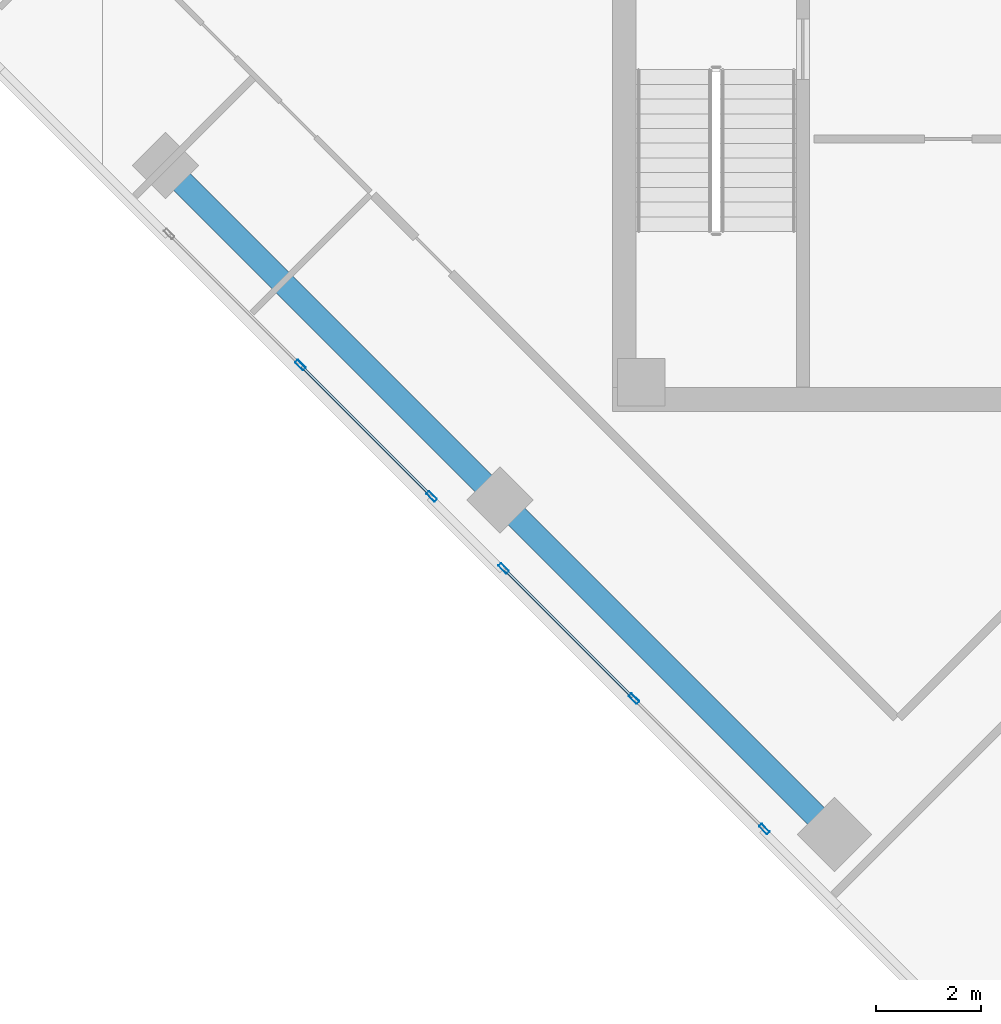
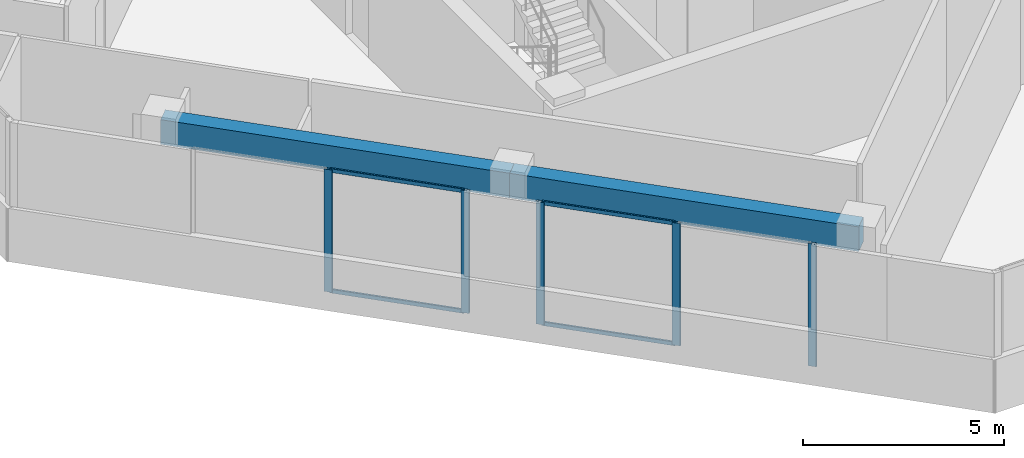
# One storey, part 2 of 18: 9 members, 2 beams, 2 elements without a shape of their own.
"""IFC4 building model written with IfcOpenShell, lengths in metres."""

import ifcopenshell
import ifcopenshell.guid

model = None  # the IFC model being written
_history = None  # IfcOwnerHistory: only IFC2X3 demands one
_inside = {}  # id of a spatial element -> (the spatial element, [elements in it])
_under = {}  # id of a project, library or spatial element -> (it, [spatial elements below it])
_declared = {}  # id of a project -> (the project, [libraries it declares])
_typed = {}  # id of a type object -> (the type object, [elements of that type])
_made_of = {}  # id of a material, layer set ... -> (it, [elements and type objects made of it])


def new_model(schema):
    """Start an empty IFC model of exactly this schema.

    Asked for "IFC4X3", IfcOpenShell would pick the latest addendum, in which some entities
    have other attributes; the version numbers below select the first issue.
    IFC2X3 requires an IfcOwnerHistory on every rooted entity: one is made here for all.
    """
    global model, _history
    if schema == "IFC4X3":
        model = ifcopenshell.file(schema_version=(4, 3, 0, 0))
    else:
        model = ifcopenshell.file(schema=schema)
    _inside.clear()
    _under.clear()
    _declared.clear()
    _typed.clear()
    _made_of.clear()
    _history = None
    if model.schema == "IFC2X3":
        org = make("IfcOrganization", Name="unknown")
        user = make(
            "IfcPersonAndOrganization",
            ThePerson=make("IfcPerson", FamilyName="unknown"),
            TheOrganization=org,
        )
        app = make(
            "IfcApplication",
            ApplicationDeveloper=org,
            Version="unknown",
            ApplicationFullName="unknown",
            ApplicationIdentifier="unknown",
        )
        _history = make(
            "IfcOwnerHistory",
            OwningUser=user,
            OwningApplication=app,
            ChangeAction="ADDED",
            CreationDate=0,
        )
    return model


def make(cls, **values):
    """One entity of the class cls with the attributes given. An attribute that is None is left unset."""
    return model.create_entity(
        cls, **{name: value for name, value in values.items() if value is not None}
    )


def rooted(cls, **values):
    """An entity with a GlobalId (a new one), such as an element, a storey or a relation."""
    return make(cls, GlobalId=ifcopenshell.guid.new(), OwnerHistory=_history, **values)


def si_unit(unit_type, name, prefix=None):
    """IfcSIUnit, for example si_unit("LENGTHUNIT", "METRE", prefix="MILLI")."""
    return make("IfcSIUnit", UnitType=unit_type, Prefix=prefix, Name=name)


def assignment(units):
    """IfcUnitAssignment: the units of a project."""
    return None if units is None else make("IfcUnitAssignment", Units=units)


def point(xyz):
    """IfcCartesianPoint."""
    return None if xyz is None else make("IfcCartesianPoint", Coordinates=xyz)


def direction(xyz):
    """IfcDirection."""
    return None if xyz is None else make("IfcDirection", DirectionRatios=xyz)


def frame(location, z_axis=None, x_axis=None):
    """IfcAxis2Placement3D, a coordinate frame: its origin and axes. An axis left out is left unset."""
    return make(
        "IfcAxis2Placement3D",
        Location=point(location),
        Axis=direction(z_axis),
        RefDirection=direction(x_axis),
    )


def frame_2d(location, x_axis=None):
    """IfcAxis2Placement2D, a coordinate frame in the plane: its origin and x axis."""
    return make(
        "IfcAxis2Placement2D", Location=point(location), RefDirection=direction(x_axis)
    )


def origin():
    """The frame at (0, 0, 0) with its axes left unset."""
    return frame((0.0, 0.0, 0.0))


def origin_2d():
    """The frame at (0, 0) in the plane with its x axis left unset."""
    return frame_2d((0.0, 0.0))


def place(relative_to, where):
    """IfcLocalPlacement: puts the frame where relative to a parent placement (None: the world)."""
    return make(
        "IfcLocalPlacement", PlacementRelTo=relative_to, RelativePlacement=where
    )


def context(
    kind, dimensions, precision=None, world=None, true_north=None, identifier=None
):
    """IfcGeometricRepresentationContext, for example the 3D "Model" context."""
    return make(
        "IfcGeometricRepresentationContext",
        ContextIdentifier=identifier,
        ContextType=kind,
        CoordinateSpaceDimension=dimensions,
        Precision=precision,
        WorldCoordinateSystem=world,
        TrueNorth=true_north,
    )


def subcontext(parent, identifier, kind, view, scale=None):
    """IfcGeometricRepresentationSubContext, for example "Body" below "Model"."""
    return make(
        "IfcGeometricRepresentationSubContext",
        ContextIdentifier=identifier,
        ContextType=kind,
        ParentContext=parent,
        TargetScale=scale,
        TargetView=view,
    )


def project(units=None, contexts=None):
    """IfcProject with its units and contexts."""
    return rooted(
        "IfcProject",
        Name="project",
        RepresentationContexts=contexts,
        UnitsInContext=assignment(units),
    )


def spatial(cls, under=None, at=None, **own):
    """A site, building, storey or space (cls), placed at a placement, below another one or the project."""
    s = rooted(cls, ObjectPlacement=at, **own)
    if under is not None:
        _under.setdefault(under.id(), (under, []))[1].append(s)
    return s


def profile(cls, at=None, kind="AREA", **sizes):
    """A parametric profile (cls). Its sizes go by their IFC names, for example OverallWidth=200.0."""
    return make(cls, ProfileType=kind, Position=at, **sizes)


def rectangle(**sizes):
    """IfcRectangleProfileDef."""
    return profile("IfcRectangleProfileDef", **sizes)


def hollow_rectangle(**sizes):
    """IfcRectangleHollowProfileDef."""
    return profile("IfcRectangleHollowProfileDef", **sizes)


def extrude(swept, where, along, depth):
    """IfcExtrudedAreaSolid: the profile swept, set in the frame where, extruded along a direction by depth."""
    return make(
        "IfcExtrudedAreaSolid",
        SweptArea=swept,
        Position=where,
        ExtrudedDirection=direction(along),
        Depth=depth,
    )


def shape(context_of_items, identifier, shape_type, items):
    """IfcShapeRepresentation: the items that make up one representation, for example the "Body"."""
    return make(
        "IfcShapeRepresentation",
        ContextOfItems=context_of_items,
        RepresentationIdentifier=identifier,
        RepresentationType=shape_type,
        Items=items,
    )


def source(mapping_origin, context_of_items, identifier, shape_type, items):
    """IfcRepresentationMap: a shape defined once, which mapped items show again and again."""
    return make(
        "IfcRepresentationMap",
        MappingOrigin=mapping_origin,
        MappedRepresentation=shape(context_of_items, identifier, shape_type, items),
    )


def transform(
    local_origin,
    x_axis=None,
    y_axis=None,
    z_axis=None,
    scale=None,
    scale2=None,
    scale3=None,
    uniform=True,
):
    """IfcCartesianTransformationOperator3D, or its non-uniform kind. x_axis, y_axis, z_axis: its Axis1, 2, 3."""
    if uniform:
        return make(
            "IfcCartesianTransformationOperator3D",
            Axis1=direction(x_axis),
            Axis2=direction(y_axis),
            LocalOrigin=point(local_origin),
            Scale=scale,
            Axis3=direction(z_axis),
        )
    return make(
        "IfcCartesianTransformationOperator3DnonUniform",
        Axis1=direction(x_axis),
        Axis2=direction(y_axis),
        LocalOrigin=point(local_origin),
        Scale=scale,
        Axis3=direction(z_axis),
        Scale2=scale2,
        Scale3=scale3,
    )


def mapped(mapping_source, mapping_target):
    """IfcMappedItem: shows the shape of a source again, moved by a transform."""
    return make(
        "IfcMappedItem", MappingSource=mapping_source, MappingTarget=mapping_target
    )


def material(Name=None, Category=None):
    """IfcMaterial."""
    return make("IfcMaterial", Name=Name, Category=Category)


def material_profile(
    of_material, cross_section, Name=None, Category=None, Priority=None
):
    """IfcMaterialProfile: a cross section and its material."""
    return make(
        "IfcMaterialProfile",
        Name=Name,
        Material=of_material,
        Profile=cross_section,
        Priority=Priority,
        Category=Category,
    )


def profile_set(profiles, Name=None, composite=None):
    """IfcMaterialProfileSet."""
    return make(
        "IfcMaterialProfileSet",
        Name=Name,
        MaterialProfiles=profiles,
        CompositeProfile=composite,
    )


def made_of(thing, what):
    """Note that an element or type object is made of a material, layer set ...; save() writes the relation."""
    if what is not None:
        _made_of.setdefault(what.id(), (what, []))[1].append(thing)
    return thing


def type_object(cls, material=None, **own):
    """A type object (cls), such as IfcWallType, which elements share."""
    return made_of(rooted(cls, **own), material)


def element(
    cls,
    number,
    at=None,
    inside=None,
    cuts=None,
    type_object=None,
    material=None,
    context=None,
    identifier="Body",
    shape_type=None,
    held_by="IfcProductDefinitionShape",
    body=None,
    shapes=None,
    **own,
):
    """One element of the class cls, such as IfcWall. Its Tag is "e" and its number.

    at: its placement. inside: the storey or other place that contains it. cuts: it is an
    opening in that element (IfcRelVoidsElement). A single representation is given by context,
    identifier, shape_type and body (its items); several are given by shapes. held_by: the class
    of the entity that holds the representations. save() writes the other relations.
    """
    e = rooted(cls, Tag="e%d" % number, ObjectPlacement=at, **own)
    if body is not None:
        shapes = [shape(context, identifier, shape_type, body)]
    if shapes is not None:
        e.Representation = make(held_by, Representations=shapes)
    if inside is not None:
        _inside.setdefault(inside.id(), (inside, []))[1].append(e)
    if cuts is not None:
        rooted(
            "IfcRelVoidsElement", RelatingBuildingElement=cuts, RelatedOpeningElement=e
        )
    if type_object is not None:
        _typed.setdefault(type_object.id(), (type_object, []))[1].append(e)
    return made_of(e, material)


def aggregate(whole, parts):
    """IfcRelAggregates: a whole, such as a stair, and the parts it consists of."""
    return rooted("IfcRelAggregates", RelatingObject=whole, RelatedObjects=parts)


def save(model, path):
    """Write the relations noted so far, then the file.

    IfcRelAggregates (storeys below a building ...), IfcRelContainedInSpatialStructure (elements
    in a storey), IfcRelDefinesByType, IfcRelAssociatesMaterial and IfcRelDeclares: one each for
    every whole, place, type object, material and project.
    """
    for whole, parts in _under.values():
        aggregate(whole, parts)
    for where, things in _inside.values():
        rooted(
            "IfcRelContainedInSpatialStructure",
            RelatedElements=things,
            RelatingStructure=where,
        )
    for kind, things in _typed.values():
        rooted("IfcRelDefinesByType", RelatedObjects=things, RelatingType=kind)
    for what, things in _made_of.values():
        rooted("IfcRelAssociatesMaterial", RelatedObjects=things, RelatingMaterial=what)
    for by, libraries in _declared.values():
        rooted("IfcRelDeclares", RelatingContext=by, RelatedDefinitions=libraries)
    model.write(path)


model = new_model("IFC4")

# Units and contexts
model_context = context("Model", 3, precision=1e-05, world=origin(), true_north=direction((0.0, 1.0)))
body_context = subcontext(model_context, "Body", "Model", "MODEL_VIEW")
ifc_project = project(units=[si_unit("LENGTHUNIT", "METRE"), si_unit("AREAUNIT", "SQUARE_METRE"), si_unit("VOLUMEUNIT", "CUBIC_METRE"), si_unit("PLANEANGLEUNIT", "RADIAN"), si_unit("MASSUNIT", "GRAM", prefix="KILO")], contexts=[model_context])

# Site, building, storey
site_placement = place(None, origin())
site = spatial("IfcSite", under=ifc_project, at=site_placement, CompositionType="ELEMENT")
building_placement = place(site_placement, origin())
building = spatial("IfcBuilding", under=site, at=building_placement, Name="Torre Montelarca", CompositionType="ELEMENT")
storey_placement = place(building_placement, frame((0.0, 0.0, 245.800048828125)))
storey = spatial("IfcBuildingStorey", under=building, at=storey_placement, Name="L55", CompositionType="ELEMENT", Elevation=245.800048828125)

# Beams
ifc_material_1 = material(Name="Concrete C55/67", Category="concrete")
ifc_material_profile_1 = material_profile(ifc_material_1, rectangle(XDim=0.449951171875, YDim=0.75, at=origin_2d()), Name="RCB450X750", Category="concrete")
ifc_profile_set_1 = profile_set([ifc_material_profile_1], Name="Concrete C55/67")
beam_type = type_object("IfcBeamType", Name="BM-SP-RC750-EXT", PredefinedType="SPANDREL", material=ifc_profile_set_1)
shared_shape_1 = source(origin(), body_context, "Body", "SweptSolid", [
    extrude(rectangle(XDim=0.449951171875, YDim=0.75, at=origin_2d()), origin(), (0.0, 0.0, 1.0), 9.0),
])
for number, where, z_axis, x_axis, name in (
    (1, (0.498779296875, 28.676513671875, 3.5849609375), (0.707106781187, -0.707106781187, 0.0), (0.707106781187, 0.707106781187, 0.0), "L55 Grid Girder X 9.0-18.0 at Y=14.8"),
    (2, (6.86279296875, 22.3125, 3.5849609375), (0.707120344572, -0.70709321754, 0.0), (0.70709321754, 0.707120344572, 0.0), "L55 Grid Girder X 18.0-27.0 at Y=14.8"),
):
    element("IfcBeam", number, at=place(storey_placement, frame(where, z_axis=z_axis, x_axis=x_axis)), inside=storey, type_object=beam_type, Name=name, PredefinedType="SPANDREL", context=body_context, shape_type="MappedRepresentation", body=[
        mapped(shared_shape_1, transform((0.0, 0.0, 0.0), scale=1.0)),
    ])

# Curtain wall, members
ifc_material_2 = material(Name="Insulated low-E laminated glass", Category="glass")
curtain_wall_type = type_object("IfcCurtainWallType", Name="CW-SYS-Z3", PredefinedType="USERDEFINED", material=ifc_material_2)
curtain_wall_1_placement = place(storey_placement, origin())
curtain_wall_1 = element("IfcCurtainWall", 3, at=curtain_wall_1_placement, inside=storey, type_object=curtain_wall_type, Name="L55 Curtain Wall Run CW-T3-L55-E01-B1", ObjectType="UNITISED GLAZING", PredefinedType="USERDEFINED")
ifc_material_3 = material(Name="Anodised aluminium AA 6063-T6", Category="aluminium")
ifc_material_profile_2 = material_profile(ifc_material_3, hollow_rectangle(XDim=0.074951171875, YDim=0.219970703125, WallThickness=0.0048828125, InnerFilletRadius=0.0048828125, OuterFilletRadius=0.010009765625, at=origin_2d()), Name="ALU75X220X5", Category="aluminium")
ifc_profile_set_2 = profile_set([ifc_material_profile_2], Name="Anodised aluminium AA 6063-T6")
member_type_1 = type_object("IfcMemberType", Name="CWM-ALU220", PredefinedType="MULLION", material=ifc_profile_set_2)
shared_shape_2 = source(origin(), body_context, "Body", "SweptSolid", [
    extrude(hollow_rectangle(XDim=0.074951171875, YDim=0.219970703125, WallThickness=0.0048828125, InnerFilletRadius=0.0048828125, OuterFilletRadius=0.010009765625, at=origin_2d()), origin(), (0.0, 0.0, 1.0), 3.719970703125),
])
member_1_placement = place(storey_placement, frame((3.065673828125, 24.87939453125, 0.0), z_axis=(0.0, 0.0, 1.0), x_axis=(0.707106781187, 0.707106781187, 0.0)))
member_1 = element("IfcMember", 4, at=member_1_placement, type_object=member_type_1, Name="CW mullion 2", PredefinedType="MULLION", context=body_context, shape_type="MappedRepresentation", body=[
    mapped(shared_shape_2, transform((0.0, 0.0, 0.0), scale=1.0)),
])
member_2_placement = place(storey_placement, frame((5.5634765625, 22.381591796875, 0.0), z_axis=(0.0, 0.0, 1.0), x_axis=(0.707106781187, 0.707106781187, 0.0)))
member_2 = element("IfcMember", 5, at=member_2_placement, type_object=member_type_1, Name="CW mullion 3", PredefinedType="MULLION", context=body_context, shape_type="MappedRepresentation", body=[
    mapped(shared_shape_2, transform((0.0, 0.0, 0.0), scale=1.0)),
])

curtain_wall_2_placement = place(storey_placement, origin())
curtain_wall_2 = element("IfcCurtainWall", 6, at=curtain_wall_2_placement, inside=storey, type_object=curtain_wall_type, Name="L55 Curtain Wall Run CW-T3-L55-E01-B2", ObjectType="UNITISED GLAZING", PredefinedType="USERDEFINED")
member_3_placement = place(storey_placement, frame((6.931884765625, 21.01318359375, 0.0), z_axis=(0.0, 0.0, 1.0), x_axis=(0.707106781187, 0.707106781187, 0.0)))
member_3 = element("IfcMember", 7, at=member_3_placement, type_object=member_type_1, Name="CW mullion 1", PredefinedType="MULLION", context=body_context, shape_type="MappedRepresentation", body=[
    mapped(shared_shape_2, transform((0.0, 0.0, 0.0), scale=1.0)),
])
member_4_placement = place(storey_placement, frame((9.412109375, 18.533203125, 0.0), z_axis=(0.0, 0.0, 1.0), x_axis=(0.707106781187, 0.707106781187, 0.0)))
member_4 = element("IfcMember", 8, at=member_4_placement, type_object=member_type_1, Name="CW mullion 2", PredefinedType="MULLION", context=body_context, shape_type="MappedRepresentation", body=[
    mapped(shared_shape_2, transform((0.0, 0.0, 0.0), scale=1.0)),
])
member_5_placement = place(storey_placement, frame((11.89208984375, 16.052978515625, 0.0), z_axis=(0.0, 0.0, 1.0), x_axis=(0.707106781187, 0.707106781187, 0.0)))
member_5 = element("IfcMember", 9, at=member_5_placement, type_object=member_type_1, Name="CW mullion 3", PredefinedType="MULLION", context=body_context, shape_type="MappedRepresentation", body=[
    mapped(shared_shape_2, transform((0.0, 0.0, 0.0), scale=1.0)),
])

# Member
ifc_material_profile_3 = material_profile(ifc_material_3, hollow_rectangle(XDim=0.054931640625, YDim=0.1201171875, WallThickness=0.00341796875, InnerFilletRadius=0.00341796875, OuterFilletRadius=0.007080078125, at=origin_2d()), Name="ALU55X120X3.5", Category="aluminium")
ifc_profile_set_3 = profile_set([ifc_material_profile_3], Name="Anodised aluminium AA 6063-T6")
member_type_2 = type_object("IfcMemberType", Name="CWT-ALU120", PredefinedType="USERDEFINED", material=ifc_profile_set_3)
shared_shape_3 = source(origin(), body_context, "Body", "SweptSolid", [
    extrude(hollow_rectangle(XDim=0.054931640625, YDim=0.1201171875, WallThickness=0.00341796875, InnerFilletRadius=0.00341796875, OuterFilletRadius=0.007080078125, at=origin_2d()), origin(), (0.0, 0.0, 1.0), 3.45751953125),
])
member_6_placement = place(storey_placement, frame((3.09228515625, 24.852783203125, 0.02734375), z_axis=(0.707106781187, -0.707106781187, 0.0), x_axis=(0.707106781187, 0.707106781187, 0.0)))
member_6 = element("IfcMember", 10, at=member_6_placement, type_object=member_type_2, Name="CW transom 2.1", ObjectType="TRANSOM", PredefinedType="USERDEFINED", context=body_context, shape_type="MappedRepresentation", body=[
    mapped(shared_shape_3, transform((0.0, 0.0, 0.0), scale=1.0)),
])

member_7_placement = place(storey_placement, frame((3.09228515625, 24.852783203125, 3.6923828125), z_axis=(0.707106781187, -0.707106781187, 0.0), x_axis=(0.707106781187, 0.707106781187, 0.0)))
member_7 = element("IfcMember", 11, at=member_7_placement, type_object=member_type_2, Name="CW transom 2.2", ObjectType="TRANSOM", PredefinedType="USERDEFINED", context=body_context, shape_type="MappedRepresentation", body=[
    mapped(shared_shape_3, transform((0.0, 0.0, 0.0), scale=1.0)),
])

aggregate(curtain_wall_1, [member_1, member_2, member_6, member_7])

shared_shape_4 = source(origin(), body_context, "Body", "SweptSolid", [
    extrude(hollow_rectangle(XDim=0.054931640625, YDim=0.1201171875, WallThickness=0.00341796875, InnerFilletRadius=0.00341796875, OuterFilletRadius=0.007080078125, at=origin_2d()), origin(), (0.0, 0.0, 1.0), 3.4326171875),
])
member_8_placement = place(storey_placement, frame((6.958251953125, 20.98681640625, 0.02734375), z_axis=(0.707106781187, -0.707106781187, 0.0), x_axis=(0.707106781187, 0.707106781187, 0.0)))
member_8 = element("IfcMember", 12, at=member_8_placement, type_object=member_type_2, Name="CW transom 1.1", ObjectType="TRANSOM", PredefinedType="USERDEFINED", context=body_context, shape_type="MappedRepresentation", body=[
    mapped(shared_shape_4, transform((0.0, 0.0, 0.0), scale=1.0)),
])

member_9_placement = place(storey_placement, frame((6.958251953125, 20.98681640625, 3.6923828125), z_axis=(0.707106781187, -0.707106781187, 0.0), x_axis=(0.707106781187, 0.707106781187, 0.0)))
member_9 = element("IfcMember", 13, at=member_9_placement, type_object=member_type_2, Name="CW transom 1.2", ObjectType="TRANSOM", PredefinedType="USERDEFINED", context=body_context, shape_type="MappedRepresentation", body=[
    mapped(shared_shape_4, transform((0.0, 0.0, 0.0), scale=1.0)),
])

aggregate(curtain_wall_2, [member_3, member_4, member_5, member_8, member_9])

save(model, "model.ifc")
